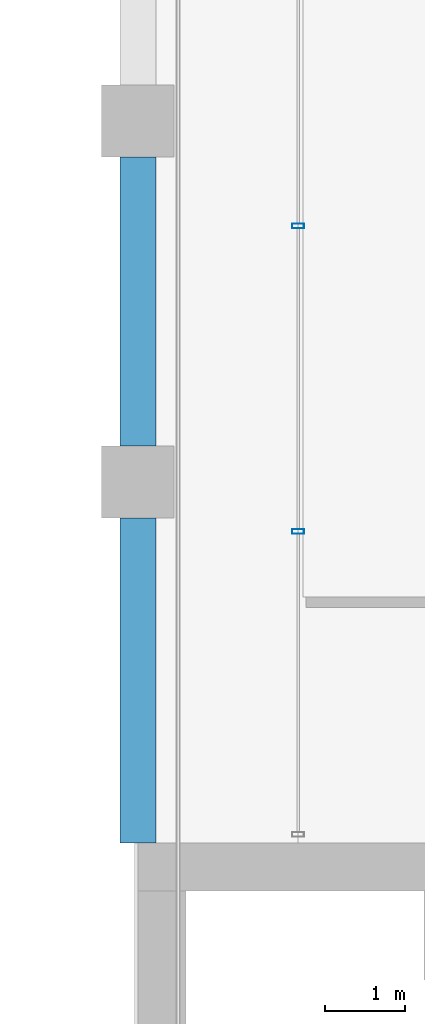
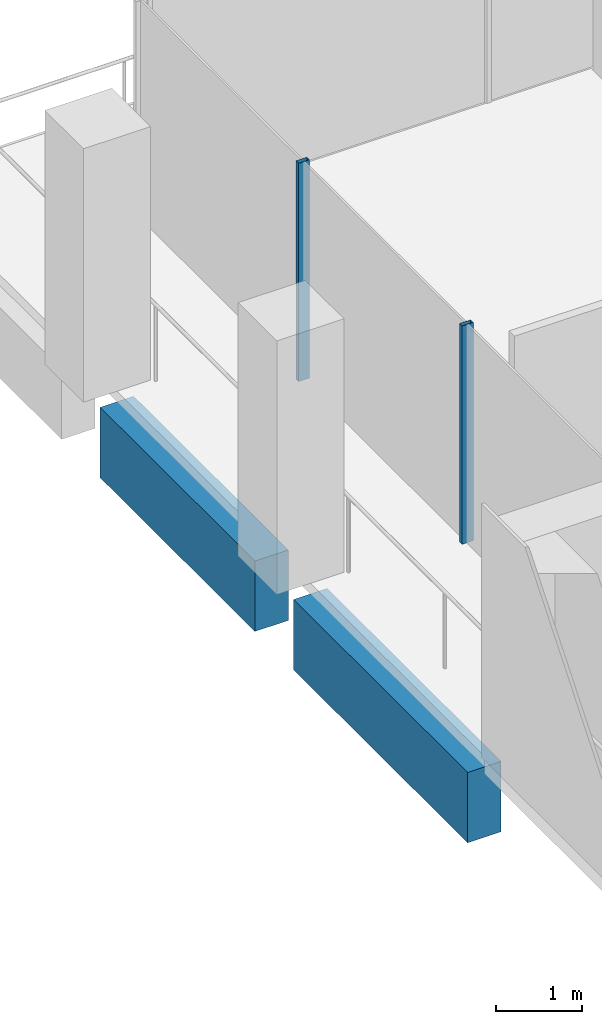
# One storey, part 20 of 40: 2 beams, 2 members, 1 element without a shape of its own.
"""IFC4 building model written with IfcOpenShell, lengths in metres."""

import ifcopenshell
import ifcopenshell.guid

model = None  # the IFC model being written
_history = None  # IfcOwnerHistory: only IFC2X3 demands one
_inside = {}  # id of a spatial element -> (the spatial element, [elements in it])
_under = {}  # id of a project, library or spatial element -> (it, [spatial elements below it])
_declared = {}  # id of a project -> (the project, [libraries it declares])
_typed = {}  # id of a type object -> (the type object, [elements of that type])
_made_of = {}  # id of a material, layer set ... -> (it, [elements and type objects made of it])


def new_model(schema):
    """Start an empty IFC model of exactly this schema.

    Asked for "IFC4X3", IfcOpenShell would pick the latest addendum, in which some entities
    have other attributes; the version numbers below select the first issue.
    IFC2X3 requires an IfcOwnerHistory on every rooted entity: one is made here for all.
    """
    global model, _history
    if schema == "IFC4X3":
        model = ifcopenshell.file(schema_version=(4, 3, 0, 0))
    else:
        model = ifcopenshell.file(schema=schema)
    _inside.clear()
    _under.clear()
    _declared.clear()
    _typed.clear()
    _made_of.clear()
    _history = None
    if model.schema == "IFC2X3":
        org = make("IfcOrganization", Name="unknown")
        user = make(
            "IfcPersonAndOrganization",
            ThePerson=make("IfcPerson", FamilyName="unknown"),
            TheOrganization=org,
        )
        app = make(
            "IfcApplication",
            ApplicationDeveloper=org,
            Version="unknown",
            ApplicationFullName="unknown",
            ApplicationIdentifier="unknown",
        )
        _history = make(
            "IfcOwnerHistory",
            OwningUser=user,
            OwningApplication=app,
            ChangeAction="ADDED",
            CreationDate=0,
        )
    return model


def make(cls, **values):
    """One entity of the class cls with the attributes given. An attribute that is None is left unset."""
    return model.create_entity(
        cls, **{name: value for name, value in values.items() if value is not None}
    )


def rooted(cls, **values):
    """An entity with a GlobalId (a new one), such as an element, a storey or a relation."""
    return make(cls, GlobalId=ifcopenshell.guid.new(), OwnerHistory=_history, **values)


def si_unit(unit_type, name, prefix=None):
    """IfcSIUnit, for example si_unit("LENGTHUNIT", "METRE", prefix="MILLI")."""
    return make("IfcSIUnit", UnitType=unit_type, Prefix=prefix, Name=name)


def assignment(units):
    """IfcUnitAssignment: the units of a project."""
    return None if units is None else make("IfcUnitAssignment", Units=units)


def point(xyz):
    """IfcCartesianPoint."""
    return None if xyz is None else make("IfcCartesianPoint", Coordinates=xyz)


def direction(xyz):
    """IfcDirection."""
    return None if xyz is None else make("IfcDirection", DirectionRatios=xyz)


def frame(location, z_axis=None, x_axis=None):
    """IfcAxis2Placement3D, a coordinate frame: its origin and axes. An axis left out is left unset."""
    return make(
        "IfcAxis2Placement3D",
        Location=point(location),
        Axis=direction(z_axis),
        RefDirection=direction(x_axis),
    )


def frame_2d(location, x_axis=None):
    """IfcAxis2Placement2D, a coordinate frame in the plane: its origin and x axis."""
    return make(
        "IfcAxis2Placement2D", Location=point(location), RefDirection=direction(x_axis)
    )


def origin():
    """The frame at (0, 0, 0) with its axes left unset."""
    return frame((0.0, 0.0, 0.0))


def origin_2d():
    """The frame at (0, 0) in the plane with its x axis left unset."""
    return frame_2d((0.0, 0.0))


def place(relative_to, where):
    """IfcLocalPlacement: puts the frame where relative to a parent placement (None: the world)."""
    return make(
        "IfcLocalPlacement", PlacementRelTo=relative_to, RelativePlacement=where
    )


def context(
    kind, dimensions, precision=None, world=None, true_north=None, identifier=None
):
    """IfcGeometricRepresentationContext, for example the 3D "Model" context."""
    return make(
        "IfcGeometricRepresentationContext",
        ContextIdentifier=identifier,
        ContextType=kind,
        CoordinateSpaceDimension=dimensions,
        Precision=precision,
        WorldCoordinateSystem=world,
        TrueNorth=true_north,
    )


def subcontext(parent, identifier, kind, view, scale=None):
    """IfcGeometricRepresentationSubContext, for example "Body" below "Model"."""
    return make(
        "IfcGeometricRepresentationSubContext",
        ContextIdentifier=identifier,
        ContextType=kind,
        ParentContext=parent,
        TargetScale=scale,
        TargetView=view,
    )


def project(units=None, contexts=None):
    """IfcProject with its units and contexts."""
    return rooted(
        "IfcProject",
        Name="project",
        RepresentationContexts=contexts,
        UnitsInContext=assignment(units),
    )


def spatial(cls, under=None, at=None, **own):
    """A site, building, storey or space (cls), placed at a placement, below another one or the project."""
    s = rooted(cls, ObjectPlacement=at, **own)
    if under is not None:
        _under.setdefault(under.id(), (under, []))[1].append(s)
    return s


def profile(cls, at=None, kind="AREA", **sizes):
    """A parametric profile (cls). Its sizes go by their IFC names, for example OverallWidth=200.0."""
    return make(cls, ProfileType=kind, Position=at, **sizes)


def rectangle(**sizes):
    """IfcRectangleProfileDef."""
    return profile("IfcRectangleProfileDef", **sizes)


def hollow_rectangle(**sizes):
    """IfcRectangleHollowProfileDef."""
    return profile("IfcRectangleHollowProfileDef", **sizes)


def extrude(swept, where, along, depth):
    """IfcExtrudedAreaSolid: the profile swept, set in the frame where, extruded along a direction by depth."""
    return make(
        "IfcExtrudedAreaSolid",
        SweptArea=swept,
        Position=where,
        ExtrudedDirection=direction(along),
        Depth=depth,
    )


def shape(context_of_items, identifier, shape_type, items):
    """IfcShapeRepresentation: the items that make up one representation, for example the "Body"."""
    return make(
        "IfcShapeRepresentation",
        ContextOfItems=context_of_items,
        RepresentationIdentifier=identifier,
        RepresentationType=shape_type,
        Items=items,
    )


def material(Name=None, Category=None):
    """IfcMaterial."""
    return make("IfcMaterial", Name=Name, Category=Category)


def material_profile(
    of_material, cross_section, Name=None, Category=None, Priority=None
):
    """IfcMaterialProfile: a cross section and its material."""
    return make(
        "IfcMaterialProfile",
        Name=Name,
        Material=of_material,
        Profile=cross_section,
        Priority=Priority,
        Category=Category,
    )


def profile_set(profiles, Name=None, composite=None):
    """IfcMaterialProfileSet."""
    return make(
        "IfcMaterialProfileSet",
        Name=Name,
        MaterialProfiles=profiles,
        CompositeProfile=composite,
    )


def made_of(thing, what):
    """Note that an element or type object is made of a material, layer set ...; save() writes the relation."""
    if what is not None:
        _made_of.setdefault(what.id(), (what, []))[1].append(thing)
    return thing


def type_object(cls, material=None, **own):
    """A type object (cls), such as IfcWallType, which elements share."""
    return made_of(rooted(cls, **own), material)


def element(
    cls,
    number,
    at=None,
    inside=None,
    cuts=None,
    type_object=None,
    material=None,
    context=None,
    identifier="Body",
    shape_type=None,
    held_by="IfcProductDefinitionShape",
    body=None,
    shapes=None,
    **own,
):
    """One element of the class cls, such as IfcWall. Its Tag is "e" and its number.

    at: its placement. inside: the storey or other place that contains it. cuts: it is an
    opening in that element (IfcRelVoidsElement). A single representation is given by context,
    identifier, shape_type and body (its items); several are given by shapes. held_by: the class
    of the entity that holds the representations. save() writes the other relations.
    """
    e = rooted(cls, Tag="e%d" % number, ObjectPlacement=at, **own)
    if body is not None:
        shapes = [shape(context, identifier, shape_type, body)]
    if shapes is not None:
        e.Representation = make(held_by, Representations=shapes)
    if inside is not None:
        _inside.setdefault(inside.id(), (inside, []))[1].append(e)
    if cuts is not None:
        rooted(
            "IfcRelVoidsElement", RelatingBuildingElement=cuts, RelatedOpeningElement=e
        )
    if type_object is not None:
        _typed.setdefault(type_object.id(), (type_object, []))[1].append(e)
    return made_of(e, material)


def aggregate(whole, parts):
    """IfcRelAggregates: a whole, such as a stair, and the parts it consists of."""
    return rooted("IfcRelAggregates", RelatingObject=whole, RelatedObjects=parts)


def save(model, path):
    """Write the relations noted so far, then the file.

    IfcRelAggregates (storeys below a building ...), IfcRelContainedInSpatialStructure (elements
    in a storey), IfcRelDefinesByType, IfcRelAssociatesMaterial and IfcRelDeclares: one each for
    every whole, place, type object, material and project.
    """
    for whole, parts in _under.values():
        aggregate(whole, parts)
    for where, things in _inside.values():
        rooted(
            "IfcRelContainedInSpatialStructure",
            RelatedElements=things,
            RelatingStructure=where,
        )
    for kind, things in _typed.values():
        rooted("IfcRelDefinesByType", RelatedObjects=things, RelatingType=kind)
    for what, things in _made_of.values():
        rooted("IfcRelAssociatesMaterial", RelatedObjects=things, RelatingMaterial=what)
    for by, libraries in _declared.values():
        rooted("IfcRelDeclares", RelatingContext=by, RelatedDefinitions=libraries)
    model.write(path)


model = new_model("IFC4")

# Units and contexts
model_context = context("Model", 3, precision=1e-05, world=origin(), true_north=direction((0.0, 1.0)))
body_context = subcontext(model_context, "Body", "Model", "MODEL_VIEW")
ifc_project = project(units=[si_unit("LENGTHUNIT", "METRE"), si_unit("AREAUNIT", "SQUARE_METRE"), si_unit("VOLUMEUNIT", "CUBIC_METRE"), si_unit("PLANEANGLEUNIT", "RADIAN"), si_unit("MASSUNIT", "GRAM", prefix="KILO")], contexts=[model_context])

# Site, building, storey
site_placement = place(None, origin())
site = spatial("IfcSite", under=ifc_project, at=site_placement, CompositionType="ELEMENT")
building_placement = place(site_placement, origin())
building = spatial("IfcBuilding", under=site, at=building_placement, Name="Altepetl Exchange Towers", CompositionType="ELEMENT")
storey_placement = place(building_placement, frame((0.0, 0.0, 179.800048828125)))
storey = spatial("IfcBuildingStorey", under=building, at=storey_placement, Name="L45", CompositionType="ELEMENT", Elevation=179.800048828125)

# Curtain wall, members
ifc_material_1 = material(Name="Aluminium 6063-T6 glazing", Category="aluminium")
curtain_wall_type = type_object("IfcCurtainWallType", Name="Loggia glazing system", PredefinedType="NOTDEFINED", material=ifc_material_1)
curtain_wall_placement = place(storey_placement, origin())
curtain_wall = element("IfcCurtainWall", 1, at=curtain_wall_placement, inside=storey, type_object=curtain_wall_type, Name="CW1 run", PredefinedType="NOTDEFINED")
ifc_material_2 = material(Name="Aluminium 6063-T6", Category="aluminium")
ifc_material_profile_1 = material_profile(ifc_material_2, hollow_rectangle(XDim=0.06005859375, YDim=0.14990234375, WallThickness=0.0029296875, at=origin_2d()), Name="Mullion 60x150 aluminium")
ifc_profile_set_1 = profile_set([ifc_material_profile_1], Name="Aluminium 6063-T6")
member_type = type_object("IfcMemberType", Name="Mullion 60x150 aluminium", PredefinedType="MULLION", material=ifc_profile_set_1)
member_1_placement = place(storey_placement, frame((42.5, 66.191650390625, 0.0), z_axis=(0.0, 0.0, 1.0), x_axis=(0.0, -1.0, 0.0)))
member_1 = element("IfcMember", 2, at=member_1_placement, type_object=member_type, Name="MU1 mullion", PredefinedType="MULLION", context=body_context, shape_type="SweptSolid", body=[
    extrude(hollow_rectangle(XDim=0.06005859375, YDim=0.14990234375, WallThickness=0.0029296875, at=origin_2d()), origin(), (0.0, 0.0, 1.0), 3.099853515625),
])
member_2_placement = place(storey_placement, frame((42.5, 62.38330078125, 0.0), z_axis=(0.0, 0.0, 1.0), x_axis=(0.0, -1.0, 0.0)))
member_2 = element("IfcMember", 3, at=member_2_placement, type_object=member_type, Name="MU1 mullion", PredefinedType="MULLION", context=body_context, shape_type="SweptSolid", body=[
    extrude(hollow_rectangle(XDim=0.06005859375, YDim=0.14990234375, WallThickness=0.0029296875, at=origin_2d()), origin(), (0.0, 0.0, 1.0), 3.099853515625),
])
aggregate(curtain_wall, [member_1, member_2])

# Beams
ifc_material_3 = material(Name="Concrete C50/60 precast with tezontle facing", Category="concrete")
ifc_material_profile_2 = material_profile(ifc_material_3, rectangle(XDim=0.449951171875, YDim=1.0, at=origin_2d()), Name="450 x 1000")
ifc_profile_set_2 = profile_set([ifc_material_profile_2], Name="Concrete C50/60 precast with tezontle facing")
beam_type = type_object("IfcBeamType", Name="Spandrel beam 450x1000 tezontle", PredefinedType="SPANDREL", material=ifc_profile_set_2)
beam_1_placement = place(storey_placement, frame((40.5, 67.050048828125, -0.650146484375), z_axis=(0.0, -1.0, 0.0), x_axis=(1.0, 0.0, 0.0)))
element("IfcBeam", 4, at=beam_1_placement, inside=storey, type_object=beam_type, Name="sp:A:L45:031", PredefinedType="SPANDREL", context=body_context, shape_type="SweptSolid", body=[
    extrude(rectangle(XDim=0.449951171875, YDim=1.0, at=origin_2d()), origin(), (0.0, 0.0, 1.0), 3.60009765625),
])
beam_2_placement = place(storey_placement, frame((40.5, 62.550048828125, -0.650146484375), z_axis=(0.0, -1.0, 0.0), x_axis=(1.0, 0.0, 0.0)))
element("IfcBeam", 5, at=beam_2_placement, inside=storey, type_object=beam_type, Name="sp:A:L45:032", PredefinedType="SPANDREL", context=body_context, shape_type="SweptSolid", body=[
    extrude(rectangle(XDim=0.449951171875, YDim=1.0, at=origin_2d()), origin(), (0.0, 0.0, 1.0), 4.050048828125),
])

save(model, "model.ifc")
